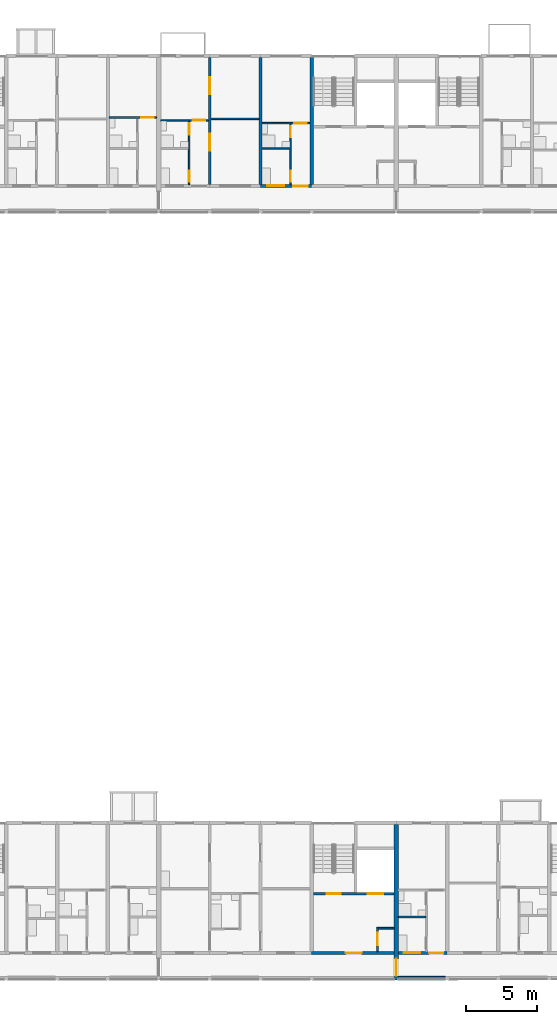
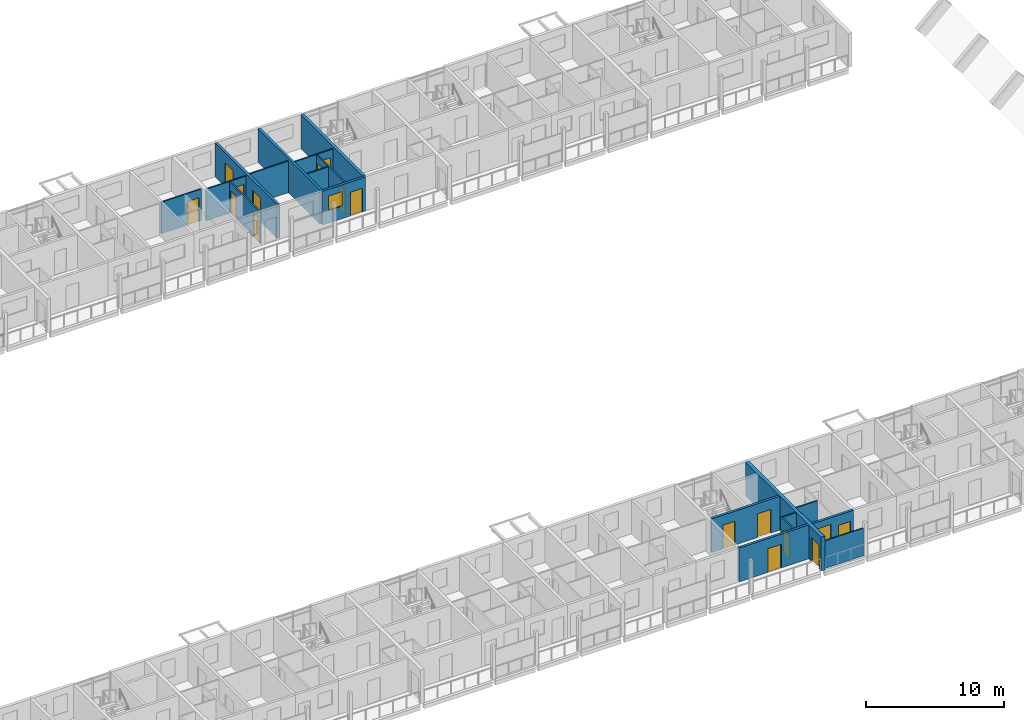
# One storey, part 38 of 98: 19 walls, 16 doors, 2 windows, 18 openings.
"""IFC4 building model written with IfcOpenShell, lengths in metres."""

import ifcopenshell
import ifcopenshell.guid

model = None  # the IFC model being written
_history = None  # IfcOwnerHistory: only IFC2X3 demands one
_inside = {}  # id of a spatial element -> (the spatial element, [elements in it])
_under = {}  # id of a project, library or spatial element -> (it, [spatial elements below it])
_declared = {}  # id of a project -> (the project, [libraries it declares])
_typed = {}  # id of a type object -> (the type object, [elements of that type])
_made_of = {}  # id of a material, layer set ... -> (it, [elements and type objects made of it])


def new_model(schema):
    """Start an empty IFC model of exactly this schema.

    Asked for "IFC4X3", IfcOpenShell would pick the latest addendum, in which some entities
    have other attributes; the version numbers below select the first issue.
    IFC2X3 requires an IfcOwnerHistory on every rooted entity: one is made here for all.
    """
    global model, _history
    if schema == "IFC4X3":
        model = ifcopenshell.file(schema_version=(4, 3, 0, 0))
    else:
        model = ifcopenshell.file(schema=schema)
    _inside.clear()
    _under.clear()
    _declared.clear()
    _typed.clear()
    _made_of.clear()
    _history = None
    if model.schema == "IFC2X3":
        org = make("IfcOrganization", Name="unknown")
        user = make(
            "IfcPersonAndOrganization",
            ThePerson=make("IfcPerson", FamilyName="unknown"),
            TheOrganization=org,
        )
        app = make(
            "IfcApplication",
            ApplicationDeveloper=org,
            Version="unknown",
            ApplicationFullName="unknown",
            ApplicationIdentifier="unknown",
        )
        _history = make(
            "IfcOwnerHistory",
            OwningUser=user,
            OwningApplication=app,
            ChangeAction="ADDED",
            CreationDate=0,
        )
    return model


def make(cls, **values):
    """One entity of the class cls with the attributes given. An attribute that is None is left unset."""
    return model.create_entity(
        cls, **{name: value for name, value in values.items() if value is not None}
    )


def rooted(cls, **values):
    """An entity with a GlobalId (a new one), such as an element, a storey or a relation."""
    return make(cls, GlobalId=ifcopenshell.guid.new(), OwnerHistory=_history, **values)


def si_unit(unit_type, name, prefix=None):
    """IfcSIUnit, for example si_unit("LENGTHUNIT", "METRE", prefix="MILLI")."""
    return make("IfcSIUnit", UnitType=unit_type, Prefix=prefix, Name=name)


def assignment(units):
    """IfcUnitAssignment: the units of a project."""
    return None if units is None else make("IfcUnitAssignment", Units=units)


def point(xyz):
    """IfcCartesianPoint."""
    return None if xyz is None else make("IfcCartesianPoint", Coordinates=xyz)


def direction(xyz):
    """IfcDirection."""
    return None if xyz is None else make("IfcDirection", DirectionRatios=xyz)


def frame(location, z_axis=None, x_axis=None):
    """IfcAxis2Placement3D, a coordinate frame: its origin and axes. An axis left out is left unset."""
    return make(
        "IfcAxis2Placement3D",
        Location=point(location),
        Axis=direction(z_axis),
        RefDirection=direction(x_axis),
    )


def frame_2d(location, x_axis=None):
    """IfcAxis2Placement2D, a coordinate frame in the plane: its origin and x axis."""
    return make(
        "IfcAxis2Placement2D", Location=point(location), RefDirection=direction(x_axis)
    )


def origin():
    """The frame at (0, 0, 0) with its axes left unset."""
    return frame((0.0, 0.0, 0.0))


def place(relative_to, where):
    """IfcLocalPlacement: puts the frame where relative to a parent placement (None: the world)."""
    return make(
        "IfcLocalPlacement", PlacementRelTo=relative_to, RelativePlacement=where
    )


def context(
    kind, dimensions, precision=None, world=None, true_north=None, identifier=None
):
    """IfcGeometricRepresentationContext, for example the 3D "Model" context."""
    return make(
        "IfcGeometricRepresentationContext",
        ContextIdentifier=identifier,
        ContextType=kind,
        CoordinateSpaceDimension=dimensions,
        Precision=precision,
        WorldCoordinateSystem=world,
        TrueNorth=true_north,
    )


def subcontext(parent, identifier, kind, view, scale=None):
    """IfcGeometricRepresentationSubContext, for example "Body" below "Model"."""
    return make(
        "IfcGeometricRepresentationSubContext",
        ContextIdentifier=identifier,
        ContextType=kind,
        ParentContext=parent,
        TargetScale=scale,
        TargetView=view,
    )


def project(units=None, contexts=None):
    """IfcProject with its units and contexts."""
    return rooted(
        "IfcProject",
        Name="project",
        RepresentationContexts=contexts,
        UnitsInContext=assignment(units),
    )


def spatial(cls, under=None, at=None, **own):
    """A site, building, storey or space (cls), placed at a placement, below another one or the project."""
    s = rooted(cls, ObjectPlacement=at, **own)
    if under is not None:
        _under.setdefault(under.id(), (under, []))[1].append(s)
    return s


def profile(cls, at=None, kind="AREA", **sizes):
    """A parametric profile (cls). Its sizes go by their IFC names, for example OverallWidth=200.0."""
    return make(cls, ProfileType=kind, Position=at, **sizes)


def rectangle(**sizes):
    """IfcRectangleProfileDef."""
    return profile("IfcRectangleProfileDef", **sizes)


def extrude(swept, where, along, depth):
    """IfcExtrudedAreaSolid: the profile swept, set in the frame where, extruded along a direction by depth."""
    return make(
        "IfcExtrudedAreaSolid",
        SweptArea=swept,
        Position=where,
        ExtrudedDirection=direction(along),
        Depth=depth,
    )


def shape(context_of_items, identifier, shape_type, items):
    """IfcShapeRepresentation: the items that make up one representation, for example the "Body"."""
    return make(
        "IfcShapeRepresentation",
        ContextOfItems=context_of_items,
        RepresentationIdentifier=identifier,
        RepresentationType=shape_type,
        Items=items,
    )


def material(Name=None, Category=None):
    """IfcMaterial."""
    return make("IfcMaterial", Name=Name, Category=Category)


def layer(
    of_material, thickness, ventilated=None, Name=None, Category=None, Priority=None
):
    """IfcMaterialLayer: one layer of a wall or slab, of a material (None: an air gap)."""
    return make(
        "IfcMaterialLayer",
        Material=of_material,
        LayerThickness=thickness,
        IsVentilated=ventilated,
        Name=Name,
        Category=Category,
        Priority=Priority,
    )


def layer_set(layers, Name=None):
    """IfcMaterialLayerSet."""
    return make("IfcMaterialLayerSet", MaterialLayers=layers, LayerSetName=Name)


def made_of(thing, what):
    """Note that an element or type object is made of a material, layer set ...; save() writes the relation."""
    if what is not None:
        _made_of.setdefault(what.id(), (what, []))[1].append(thing)
    return thing


def type_object(cls, material=None, **own):
    """A type object (cls), such as IfcWallType, which elements share."""
    return made_of(rooted(cls, **own), material)


def element(
    cls,
    number,
    at=None,
    inside=None,
    cuts=None,
    type_object=None,
    material=None,
    context=None,
    identifier="Body",
    shape_type=None,
    held_by="IfcProductDefinitionShape",
    body=None,
    shapes=None,
    **own,
):
    """One element of the class cls, such as IfcWall. Its Tag is "e" and its number.

    at: its placement. inside: the storey or other place that contains it. cuts: it is an
    opening in that element (IfcRelVoidsElement). A single representation is given by context,
    identifier, shape_type and body (its items); several are given by shapes. held_by: the class
    of the entity that holds the representations. save() writes the other relations.
    """
    e = rooted(cls, Tag="e%d" % number, ObjectPlacement=at, **own)
    if body is not None:
        shapes = [shape(context, identifier, shape_type, body)]
    if shapes is not None:
        e.Representation = make(held_by, Representations=shapes)
    if inside is not None:
        _inside.setdefault(inside.id(), (inside, []))[1].append(e)
    if cuts is not None:
        rooted(
            "IfcRelVoidsElement", RelatingBuildingElement=cuts, RelatedOpeningElement=e
        )
    if type_object is not None:
        _typed.setdefault(type_object.id(), (type_object, []))[1].append(e)
    return made_of(e, material)


def fill(opening, filler):
    """IfcRelFillsElement: the door or window that sits in an opening."""
    return rooted(
        "IfcRelFillsElement",
        RelatingOpeningElement=opening,
        RelatedBuildingElement=filler,
    )


def aggregate(whole, parts):
    """IfcRelAggregates: a whole, such as a stair, and the parts it consists of."""
    return rooted("IfcRelAggregates", RelatingObject=whole, RelatedObjects=parts)


def save(model, path):
    """Write the relations noted so far, then the file.

    IfcRelAggregates (storeys below a building ...), IfcRelContainedInSpatialStructure (elements
    in a storey), IfcRelDefinesByType, IfcRelAssociatesMaterial and IfcRelDeclares: one each for
    every whole, place, type object, material and project.
    """
    for whole, parts in _under.values():
        aggregate(whole, parts)
    for where, things in _inside.values():
        rooted(
            "IfcRelContainedInSpatialStructure",
            RelatedElements=things,
            RelatingStructure=where,
        )
    for kind, things in _typed.values():
        rooted("IfcRelDefinesByType", RelatedObjects=things, RelatingType=kind)
    for what, things in _made_of.values():
        rooted("IfcRelAssociatesMaterial", RelatedObjects=things, RelatingMaterial=what)
    for by, libraries in _declared.values():
        rooted("IfcRelDeclares", RelatingContext=by, RelatedDefinitions=libraries)
    model.write(path)


model = new_model("IFC4")

# Units and contexts
model_context = context("Model", 3, precision=1e-05, world=origin(), true_north=direction((0.0, 1.0)))
body_context = subcontext(model_context, "Body", "Model", "MODEL_VIEW")
ifc_project = project(units=[si_unit("LENGTHUNIT", "METRE"), si_unit("AREAUNIT", "SQUARE_METRE"), si_unit("VOLUMEUNIT", "CUBIC_METRE"), si_unit("PLANEANGLEUNIT", "RADIAN"), si_unit("MASSUNIT", "GRAM", prefix="KILO")], contexts=[model_context])

# Site, building, storey
site_placement = place(None, origin())
site = spatial("IfcSite", under=ifc_project, at=site_placement, CompositionType="ELEMENT")
building_placement = place(site_placement, origin())
building = spatial("IfcBuilding", under=site, at=building_placement, Name="Ridgestep Commons", CompositionType="ELEMENT")
storey_placement = place(building_placement, frame((0.0, 0.0, 12.0)))
storey = spatial("IfcBuildingStorey", under=building, at=storey_placement, Name="L04", CompositionType="ELEMENT", Elevation=12.0)

# Wall
ifc_material_1 = material(Name="Concrete C30/37", Category="concrete")
ifc_layer_1 = layer(ifc_material_1, 0.25)
ifc_layer_set_1 = layer_set([ifc_layer_1], Name="Core cross wall 250")
wall_type_1 = type_object("IfcWallType", Name="Core cross wall 250", PredefinedType="SHEAR", material=ifc_layer_set_1)
wall_1_placement = place(storey_placement, frame((73.199951171875, 68.0, 0.0), z_axis=(0.0, 0.0, 1.0), x_axis=(0.0, 1.0, 0.0)))
element("IfcWall", 1, at=wall_1_placement, inside=storey, type_object=wall_type_1, Name="Cross wall B-04-0732", PredefinedType="SHEAR", context=body_context, shape_type="SweptSolid", body=[
    extrude(rectangle(XDim=9.0, YDim=0.25, at=frame_2d((4.5, 0.0))), origin(), (0.0, 0.0, 1.0), 3.0),
])

# Wall, opening, door
ifc_material_2 = material(Name="Concrete C30/37", Category="concrete")
ifc_layer_2 = layer(ifc_material_2, 0.199951171875)
ifc_layer_set_2 = layer_set([ifc_layer_2], Name="Core south wall 200")
wall_type_2 = type_object("IfcWallType", Name="Core south wall 200", PredefinedType="SHEAR", material=ifc_layer_set_2)
wall_2_placement = place(storey_placement, frame((73.199951171875, 13.64990234375, 0.0), z_axis=(0.0, 0.0, 1.0), x_axis=(1.0, 0.0, 0.0)))
wall_2 = element("IfcWall", 2, at=wall_2_placement, inside=storey, type_object=wall_type_2, Name="Core south wall A4C L04", PredefinedType="SHEAR", context=body_context, shape_type="SweptSolid", body=[
    extrude(rectangle(XDim=5.85009765625, YDim=0.199951171875, at=frame_2d((2.925048828125, 0.0))), origin(), (0.0, 0.0, 1.0), 3.0),
])
opening_1_placement = place(wall_2_placement, frame((2.4375, 0.0, 0.0)))
opening_1 = element("IfcOpeningElement", 3, at=opening_1_placement, cuts=wall_2, Name="Opening A4C/04/1", PredefinedType="OPENING", context=body_context, shape_type="SweptSolid", body=[
    extrude(rectangle(XDim=1.10009765625, YDim=2.10009765625, at=frame_2d((0.550048828125, 1.050048828125))), frame((0.0, 0.10986328125, 0.0), z_axis=(0.0, -1.0, 0.0), x_axis=(1.0, 0.0, 0.0)), (0.0, 0.0, 1.0), 0.219970703125),
])
ifc_material_3 = material(Name="Steel fire door", Category="steel")
door_type_1 = type_object("IfcDoorType", Name="Lobby door 1100 x 2100 FD60", OperationType="NOTDEFINED", PredefinedType="DOOR", material=ifc_material_3)
door_1_placement = place(opening_1_placement, origin())
door_1 = element("IfcDoor", 4, at=door_1_placement, inside=storey, type_object=door_type_1, Name="Lobby door A4C/04/1", OperationType="SINGLE_SWING_LEFT", OverallHeight=2.10009765625, OverallWidth=1.10009765625, PredefinedType="DOOR", context=body_context, shape_type="SweptSolid", body=[
    extrude(rectangle(XDim=1.10009765625, YDim=2.10009765625, at=frame_2d((0.550048828125, 1.050048828125))), frame((0.0, 0.02490234375, 0.0), z_axis=(0.0, -1.0, 0.0), x_axis=(1.0, 0.0, 0.0)), (0.0, 0.0, 1.0), 0.050048828125),
])
fill(opening_1, door_1)

ifc_material_4 = material(Name="Concrete C30/37", Category="concrete")
ifc_layer_3 = layer(ifc_material_4, 0.1201171875)
ifc_layer_set_3 = layer_set([ifc_layer_3], Name="Core wall 120")
wall_type_3 = type_object("IfcWallType", Name="Core wall 120", PredefinedType="SHEAR", material=ifc_layer_set_3)
wall_3_placement = place(storey_placement, frame((77.860107421875, 13.75, 0.0), z_axis=(0.0, 0.0, 1.0), x_axis=(0.0, 1.0, 0.0)))
wall_3 = element("IfcWall", 5, at=wall_3_placement, inside=storey, type_object=wall_type_3, Name="Core riser w wall A4C L04", PredefinedType="SHEAR", context=body_context, shape_type="SweptSolid", body=[
    extrude(rectangle(XDim=1.719970703125, YDim=0.1201171875, at=frame_2d((0.85986328125, 0.0))), origin(), (0.0, 0.0, 1.0), 3.0),
])
opening_2_placement = place(wall_3_placement, frame((0.449951171875, 0.0, 0.0)))
opening_2 = element("IfcOpeningElement", 6, at=opening_2_placement, cuts=wall_3, Name="Opening A4C/04/4", PredefinedType="OPENING", context=body_context, shape_type="SweptSolid", body=[
    extrude(rectangle(XDim=0.89990234375, YDim=2.10009765625, at=frame_2d((0.449951171875, 1.050048828125))), frame((0.0, 0.070068359375, 0.0), z_axis=(0.0, -1.0, 0.0), x_axis=(1.0, 0.0, 0.0)), (0.0, 0.0, 1.0), 0.14013671875),
])
ifc_material_5 = material(Name="Steel fire door", Category="steel")
door_type_2 = type_object("IfcDoorType", Name="Riser door 900 x 2100 FD60", OperationType="NOTDEFINED", PredefinedType="DOOR", material=ifc_material_5)
door_2_placement = place(opening_2_placement, origin())
door_2 = element("IfcDoor", 7, at=door_2_placement, inside=storey, type_object=door_type_2, Name="Riser door A4C/04/4", OperationType="SINGLE_SWING_LEFT", OverallHeight=2.10009765625, OverallWidth=0.89990234375, PredefinedType="DOOR", context=body_context, shape_type="SweptSolid", body=[
    extrude(rectangle(XDim=0.89990234375, YDim=2.10009765625, at=frame_2d((0.449951171875, 1.050048828125))), frame((0.0, 0.02490234375, 0.0), z_axis=(0.0, -1.0, 0.0), x_axis=(1.0, 0.0, 0.0)), (0.0, 0.0, 1.0), 0.050048828125),
])
fill(opening_2, door_2)

# Wall
wall_4_placement = place(storey_placement, frame((77.919921875, 15.409912109375, 0.0), z_axis=(0.0, 0.0, 1.0), x_axis=(1.0, 0.0, 0.0)))
element("IfcWall", 8, at=wall_4_placement, inside=storey, type_object=wall_type_3, Name="Core riser n wall A4C L04", PredefinedType="SHEAR", context=body_context, shape_type="SweptSolid", body=[
    extrude(rectangle(XDim=1.130126953125, YDim=0.1201171875, at=frame_2d((0.56494140625, 0.0))), origin(), (0.0, 0.0, 1.0), 3.0),
])

# Wall, openings, doors
ifc_material_6 = material(Name="Concrete C30/37", Category="concrete")
ifc_layer_4 = layer(ifc_material_6, 0.199951171875)
ifc_layer_set_4 = layer_set([ifc_layer_4], Name="Core wall 200")
wall_type_4 = type_object("IfcWallType", Name="Core wall 200", PredefinedType="SHEAR", material=ifc_layer_set_4)
wall_5_placement = place(storey_placement, frame((73.324951171875, 17.85009765625, 0.0), z_axis=(0.0, 0.0, 1.0), x_axis=(1.0, 0.0, 0.0)))
wall_5 = element("IfcWall", 9, at=wall_5_placement, inside=storey, type_object=wall_type_4, Name="Core lobby wall A4C L04", PredefinedType="SHEAR", context=body_context, shape_type="SweptSolid", body=[
    extrude(rectangle(XDim=5.72509765625, YDim=0.199951171875, at=frame_2d((2.862548828125, 0.0))), origin(), (0.0, 0.0, 1.0), 3.0),
])
opening_3_placement = place(wall_5_placement, frame((0.949951171875, 0.0, 0.0)))
opening_3 = element("IfcOpeningElement", 10, at=opening_3_placement, cuts=wall_5, Name="Opening A4C/04/2", PredefinedType="OPENING", context=body_context, shape_type="SweptSolid", body=[
    extrude(rectangle(XDim=1.0, YDim=2.10009765625, at=frame_2d((0.5, 1.050048828125))), frame((0.0, 0.10986328125, 0.0), z_axis=(0.0, -1.0, 0.0), x_axis=(1.0, 0.0, 0.0)), (0.0, 0.0, 1.0), 0.219970703125),
])
opening_4_placement = place(wall_5_placement, frame((3.862548828125, 0.0, 0.0)))
opening_4 = element("IfcOpeningElement", 11, at=opening_4_placement, cuts=wall_5, Name="Opening A4C/04/3", PredefinedType="OPENING", context=body_context, shape_type="SweptSolid", body=[
    extrude(rectangle(XDim=1.10009765625, YDim=2.10009765625, at=frame_2d((0.550048828125, 1.050048828125))), frame((0.0, 0.10986328125, 0.0), z_axis=(0.0, -1.0, 0.0), x_axis=(1.0, 0.0, 0.0)), (0.0, 0.0, 1.0), 0.219970703125),
])
ifc_material_7 = material(Name="Stainless steel", Category="steel")
door_type_3 = type_object("IfcDoorType", Name="Lift landing door 1100 x 2100 FD60", OperationType="DOUBLE_DOOR_SLIDING", PredefinedType="DOOR", material=ifc_material_7)
door_3_placement = place(opening_4_placement, origin())
door_3 = element("IfcDoor", 12, at=door_3_placement, inside=storey, type_object=door_type_3, Name="Landing door LD A4C L04", OperationType="DOUBLE_DOOR_SLIDING", OverallHeight=2.10009765625, OverallWidth=1.10009765625, PredefinedType="DOOR", context=body_context, shape_type="SweptSolid", body=[
    extrude(rectangle(XDim=1.10009765625, YDim=2.10009765625, at=frame_2d((0.550048828125, 1.050048828125))), frame((0.0, 0.02490234375, 0.0), z_axis=(0.0, -1.0, 0.0), x_axis=(1.0, 0.0, 0.0)), (0.0, 0.0, 1.0), 0.050048828125),
])
fill(opening_4, door_3)
ifc_material_8 = material(Name="Steel fire door", Category="steel")
door_type_4 = type_object("IfcDoorType", Name="Stair door 1000 x 2100 FD60", OperationType="NOTDEFINED", PredefinedType="DOOR", material=ifc_material_8)
door_4_placement = place(opening_3_placement, origin())
door_4 = element("IfcDoor", 13, at=door_4_placement, inside=storey, type_object=door_type_4, Name="Stair door A4C/04/2", OperationType="SINGLE_SWING_RIGHT", OverallHeight=2.10009765625, OverallWidth=1.0, PredefinedType="DOOR", context=body_context, shape_type="SweptSolid", body=[
    extrude(rectangle(XDim=1.0, YDim=2.10009765625, at=frame_2d((0.5, 1.050048828125))), frame((0.0, 0.02490234375, 0.0), z_axis=(0.0, -1.0, 0.0), x_axis=(1.0, 0.0, 0.0)), (0.0, 0.0, 1.0), 0.050048828125),
])
fill(opening_3, door_4)

ifc_material_9 = material(Name="Precast concrete C40/50", Category="concrete")
ifc_layer_5 = layer(ifc_material_9, 0.199951171875)
ifc_layer_set_5 = layer_set([ifc_layer_5], Name="Cross wall 200")
wall_type_5 = type_object("IfcWallType", Name="Cross wall 200", PredefinedType="SHEAR", material=ifc_layer_set_5)
wall_6_placement = place(storey_placement, frame((66.0, 68.0, 0.0), z_axis=(0.0, 0.0, 1.0), x_axis=(0.0, 1.0, 0.0)))
wall_6 = element("IfcWall", 14, at=wall_6_placement, inside=storey, type_object=wall_type_5, Name="Cross wall B-04-0660", PredefinedType="SHEAR", context=body_context, shape_type="SweptSolid", body=[
    extrude(rectangle(XDim=9.0, YDim=0.199951171875, at=frame_2d((4.5, 0.0))), origin(), (0.0, 0.0, 1.0), 3.0),
])
opening_5_placement = place(wall_6_placement, frame((2.39990234375, 0.0, 0.0)))
opening_5 = element("IfcOpeningElement", 15, at=opening_5_placement, cuts=wall_6, Name="Opening B4-04a/5", PredefinedType="OPENING", context=body_context, shape_type="SweptSolid", body=[
    extrude(rectangle(XDim=1.199951171875, YDim=2.10009765625, at=frame_2d((0.60009765625, 1.050048828125))), frame((0.0, 0.10986328125, 0.0), z_axis=(0.0, -1.0, 0.0), x_axis=(1.0, 0.0, 0.0)), (0.0, 0.0, 1.0), 0.219970703125),
])
opening_6_placement = place(wall_6_placement, frame((6.39990234375, 0.0, 0.0)))
opening_6 = element("IfcOpeningElement", 16, at=opening_6_placement, cuts=wall_6, Name="Opening B4-04a/6", PredefinedType="OPENING", context=body_context, shape_type="SweptSolid", body=[
    extrude(rectangle(XDim=1.199951171875, YDim=2.10009765625, at=frame_2d((0.60009765625, 1.050048828125))), frame((0.0, 0.10986328125, 0.0), z_axis=(0.0, -1.0, 0.0), x_axis=(1.0, 0.0, 0.0)), (0.0, 0.0, 1.0), 0.219970703125),
])
ifc_material_10 = material(Name="Timber door leaf", Category="wood")
door_type_5 = type_object("IfcDoorType", Name="Double door 1200 x 2100", OperationType="DOUBLE_DOOR_SINGLE_SWING", PredefinedType="DOOR", material=ifc_material_10)
door_5_placement = place(opening_5_placement, origin())
door_5 = element("IfcDoor", 17, at=door_5_placement, inside=storey, type_object=door_type_5, Name="Double door B4-04a/5", OperationType="DOUBLE_DOOR_SINGLE_SWING", OverallHeight=2.10009765625, OverallWidth=1.199951171875, PredefinedType="DOOR", context=body_context, shape_type="SweptSolid", body=[
    extrude(rectangle(XDim=1.199951171875, YDim=2.10009765625, at=frame_2d((0.60009765625, 1.050048828125))), frame((0.0, 0.02490234375, 0.0), z_axis=(0.0, -1.0, 0.0), x_axis=(1.0, 0.0, 0.0)), (0.0, 0.0, 1.0), 0.050048828125),
])
fill(opening_5, door_5)
door_6_placement = place(opening_6_placement, origin())
door_6 = element("IfcDoor", 18, at=door_6_placement, inside=storey, type_object=door_type_5, Name="Double door B4-04a/6", OperationType="DOUBLE_DOOR_SINGLE_SWING", OverallHeight=2.10009765625, OverallWidth=1.199951171875, PredefinedType="DOOR", context=body_context, shape_type="SweptSolid", body=[
    extrude(rectangle(XDim=1.199951171875, YDim=2.10009765625, at=frame_2d((0.60009765625, 1.050048828125))), frame((0.0, 0.02490234375, 0.0), z_axis=(0.0, -1.0, 0.0), x_axis=(1.0, 0.0, 0.0)), (0.0, 0.0, 1.0), 0.050048828125),
])
fill(opening_6, door_6)

# Wall
wall_7_placement = place(storey_placement, frame((69.60009765625, 68.0, 0.0), z_axis=(0.0, 0.0, 1.0), x_axis=(0.0, 1.0, 0.0)))
element("IfcWall", 19, at=wall_7_placement, inside=storey, type_object=wall_type_5, Name="Cross wall B-04-0696", PredefinedType="SHEAR", context=body_context, shape_type="SweptSolid", body=[
    extrude(rectangle(XDim=9.0, YDim=0.199951171875, at=frame_2d((4.5, 0.0))), origin(), (0.0, 0.0, 1.0), 3.0),
])

# Wall, opening, door
ifc_material_11 = material(Name="Precast concrete C40/50", Category="concrete")
ifc_layer_6 = layer(ifc_material_11, 0.300048828125)
ifc_layer_set_6 = layer_set([ifc_layer_6], Name="Division wall 300")
wall_type_6 = type_object("IfcWallType", Name="Division wall 300", PredefinedType="SHEAR", material=ifc_layer_set_6)
wall_8_placement = place(storey_placement, frame((79.199951171875, 11.75, 0.0), z_axis=(0.0, 0.0, 1.0), x_axis=(0.0, 1.0, 0.0)))
wall_8 = element("IfcWall", 20, at=wall_8_placement, inside=storey, type_object=wall_type_6, Name="Cross wall A-04-0792", PredefinedType="SHEAR", context=body_context, shape_type="SweptSolid", body=[
    extrude(rectangle(XDim=11.0, YDim=0.300048828125, at=frame_2d((5.5, 0.0))), origin(), (0.0, 0.0, 1.0), 3.0),
])
opening_7_placement = place(wall_8_placement, frame((0.300048828125, 0.0, 0.0)))
opening_7 = element("IfcOpeningElement", 21, at=opening_7_placement, cuts=wall_8, Name="Opening A/04/G0792", PredefinedType="OPENING", context=body_context, shape_type="SweptSolid", body=[
    extrude(rectangle(XDim=1.199951171875, YDim=2.10009765625, at=frame_2d((0.60009765625, 1.050048828125))), frame((0.0, 0.159912109375, 0.0), z_axis=(0.0, -1.0, 0.0), x_axis=(1.0, 0.0, 0.0)), (0.0, 0.0, 1.0), 0.320068359375),
])
ifc_material_12 = material(Name="Steel fire door", Category="steel")
door_type_6 = type_object("IfcDoorType", Name="Division fire door 1200 x 2100 EI 240", OperationType="DOUBLE_DOOR_SINGLE_SWING", PredefinedType="DOOR", material=ifc_material_12)
door_7_placement = place(opening_7_placement, origin())
door_7 = element("IfcDoor", 22, at=door_7_placement, inside=storey, type_object=door_type_6, Name="Division fire door A/04/G0792", OperationType="DOUBLE_DOOR_SINGLE_SWING", OverallHeight=2.10009765625, OverallWidth=1.199951171875, PredefinedType="DOOR", context=body_context, shape_type="SweptSolid", body=[
    extrude(rectangle(XDim=1.199951171875, YDim=2.10009765625, at=frame_2d((0.60009765625, 1.050048828125))), frame((0.0, 0.02490234375, 0.0), z_axis=(0.0, -1.0, 0.0), x_axis=(1.0, 0.0, 0.0)), (0.0, 0.0, 1.0), 0.050048828125),
])
fill(opening_7, door_7)

# Wall
ifc_material_13 = material(Name="Common brick 110 mm", Category="masonry")
ifc_layer_7 = layer(ifc_material_13, 0.110107421875)
ifc_layer_set_7 = layer_set([ifc_layer_7], Name="Partition 110")
wall_type_7 = type_object("IfcWallType", Name="Partition 110", PredefinedType="PARTITIONING", material=ifc_layer_set_7)
wall_9_placement = place(storey_placement, frame((79.35009765625, 16.205078125, 0.0), z_axis=(0.0, 0.0, 1.0), x_axis=(1.0, 0.0, 0.0)))
element("IfcWall", 23, at=wall_9_placement, inside=storey, type_object=wall_type_7, Name="Partition A5-04a", PredefinedType="PARTITIONING", context=body_context, shape_type="SweptSolid", body=[
    extrude(rectangle(XDim=1.914794921875, YDim=0.110107421875, at=frame_2d((0.95751953125, 0.0))), origin(), (0.0, 0.0, 1.0), 2.800048828125),
])

# Wall, opening, door
wall_10_placement = place(storey_placement, frame((58.89990234375, 72.7548828125, 0.0), z_axis=(0.0, 0.0, 1.0), x_axis=(1.0, 0.0, 0.0)))
wall_10 = element("IfcWall", 24, at=wall_10_placement, inside=storey, type_object=wall_type_7, Name="Partition B3-04a", PredefinedType="PARTITIONING", context=body_context, shape_type="SweptSolid", body=[
    extrude(rectangle(XDim=3.35009765625, YDim=0.110107421875, at=frame_2d((1.675048828125, 0.0))), origin(), (0.0, 0.0, 1.0), 2.800048828125),
])
opening_8_placement = place(wall_10_placement, frame((2.25, 0.0, 0.0)))
opening_8 = element("IfcOpeningElement", 25, at=opening_8_placement, cuts=wall_10, Name="Opening B3-04a/4", PredefinedType="OPENING", context=body_context, shape_type="SweptSolid", body=[
    extrude(rectangle(XDim=0.89990234375, YDim=2.10009765625, at=frame_2d((0.449951171875, 1.050048828125))), frame((0.0, 0.06494140625, 0.0), z_axis=(0.0, -1.0, 0.0), x_axis=(1.0, 0.0, 0.0)), (0.0, 0.0, 1.0), 0.130126953125),
])
ifc_material_14 = material(Name="Timber door leaf", Category="wood")
door_type_7 = type_object("IfcDoorType", Name="Internal door 900 x 2100", OperationType="NOTDEFINED", PredefinedType="DOOR", material=ifc_material_14)
door_8_placement = place(opening_8_placement, origin())
door_8 = element("IfcDoor", 26, at=door_8_placement, inside=storey, type_object=door_type_7, Name="Internal door B3-04a/4", OperationType="SINGLE_SWING_LEFT", OverallHeight=2.10009765625, OverallWidth=0.89990234375, PredefinedType="DOOR", context=body_context, shape_type="SweptSolid", body=[
    extrude(rectangle(XDim=0.89990234375, YDim=2.10009765625, at=frame_2d((0.449951171875, 1.050048828125))), frame((0.0, 0.02490234375, 0.0), z_axis=(0.0, -1.0, 0.0), x_axis=(1.0, 0.0, 0.0)), (0.0, 0.0, 1.0), 0.050048828125),
])
fill(opening_8, door_8)

# Wall, openings, doors
wall_11_placement = place(storey_placement, frame((64.544921875, 68.0, 0.0), z_axis=(0.0, 0.0, 1.0), x_axis=(0.0, 1.0, 0.0)))
wall_11 = element("IfcWall", 27, at=wall_11_placement, inside=storey, type_object=wall_type_7, Name="Partition B4-04a", PredefinedType="PARTITIONING", context=body_context, shape_type="SweptSolid", body=[
    extrude(rectangle(XDim=4.5, YDim=0.110107421875, at=frame_2d((2.25, 0.0))), origin(), (0.0, 0.0, 1.0), 2.800048828125),
])
opening_9_placement = place(wall_11_placement, frame((0.199951171875, 0.0, 0.0)))
opening_9 = element("IfcOpeningElement", 28, at=opening_9_placement, cuts=wall_11, Name="Opening B4-04a/2", PredefinedType="OPENING", context=body_context, shape_type="SweptSolid", body=[
    extrude(rectangle(XDim=0.800048828125, YDim=2.10009765625, at=frame_2d((0.39990234375, 1.050048828125))), frame((0.0, 0.06494140625, 0.0), z_axis=(0.0, -1.0, 0.0), x_axis=(1.0, 0.0, 0.0)), (0.0, 0.0, 1.0), 0.130126953125),
])
opening_10_placement = place(wall_11_placement, frame((3.550048828125, 0.0, 0.0)))
opening_10 = element("IfcOpeningElement", 29, at=opening_10_placement, cuts=wall_11, Name="Opening B4-04a/3", PredefinedType="OPENING", context=body_context, shape_type="SweptSolid", body=[
    extrude(rectangle(XDim=0.800048828125, YDim=2.10009765625, at=frame_2d((0.39990234375, 1.050048828125))), frame((0.0, 0.06494140625, 0.0), z_axis=(0.0, -1.0, 0.0), x_axis=(1.0, 0.0, 0.0)), (0.0, 0.0, 1.0), 0.130126953125),
])
ifc_material_15 = material(Name="Timber door leaf", Category="wood")
door_type_8 = type_object("IfcDoorType", Name="Internal door 800 x 2100", OperationType="NOTDEFINED", PredefinedType="DOOR", material=ifc_material_15)
door_9_placement = place(opening_9_placement, origin())
door_9 = element("IfcDoor", 30, at=door_9_placement, inside=storey, type_object=door_type_8, Name="Internal door B4-04a/2", OperationType="SINGLE_SWING_LEFT", OverallHeight=2.10009765625, OverallWidth=0.800048828125, PredefinedType="DOOR", context=body_context, shape_type="SweptSolid", body=[
    extrude(rectangle(XDim=0.800048828125, YDim=2.10009765625, at=frame_2d((0.39990234375, 1.050048828125))), frame((0.0, 0.02490234375, 0.0), z_axis=(0.0, -1.0, 0.0), x_axis=(1.0, 0.0, 0.0)), (0.0, 0.0, 1.0), 0.050048828125),
])
fill(opening_9, door_9)
door_10_placement = place(opening_10_placement, origin())
door_10 = element("IfcDoor", 31, at=door_10_placement, inside=storey, type_object=door_type_8, Name="Internal door B4-04a/3", OperationType="SINGLE_SWING_RIGHT", OverallHeight=2.10009765625, OverallWidth=0.800048828125, PredefinedType="DOOR", context=body_context, shape_type="SweptSolid", body=[
    extrude(rectangle(XDim=0.800048828125, YDim=2.10009765625, at=frame_2d((0.39990234375, 1.050048828125))), frame((0.0, 0.02490234375, 0.0), z_axis=(0.0, -1.0, 0.0), x_axis=(1.0, 0.0, 0.0)), (0.0, 0.0, 1.0), 0.050048828125),
])
fill(opening_10, door_10)

# Wall, opening, door
wall_12_placement = place(storey_placement, frame((62.550048828125, 72.554931640625, 0.0), z_axis=(0.0, 0.0, 1.0), x_axis=(1.0, 0.0, 0.0)))
wall_12 = element("IfcWall", 32, at=wall_12_placement, inside=storey, type_object=wall_type_7, Name="Partition B4-04a", PredefinedType="PARTITIONING", context=body_context, shape_type="SweptSolid", body=[
    extrude(rectangle(XDim=3.349853515625, YDim=0.110107421875, at=frame_2d((1.6748046875, 0.0))), origin(), (0.0, 0.0, 1.0), 2.800048828125),
])
opening_11_placement = place(wall_12_placement, frame((2.25, 0.0, 0.0)))
opening_11 = element("IfcOpeningElement", 33, at=opening_11_placement, cuts=wall_12, Name="Opening B4-04a/4", PredefinedType="OPENING", context=body_context, shape_type="SweptSolid", body=[
    extrude(rectangle(XDim=0.89990234375, YDim=2.10009765625, at=frame_2d((0.449951171875, 1.050048828125))), frame((0.0, 0.06494140625, 0.0), z_axis=(0.0, -1.0, 0.0), x_axis=(1.0, 0.0, 0.0)), (0.0, 0.0, 1.0), 0.130126953125),
])
door_11_placement = place(opening_11_placement, origin())
door_11 = element("IfcDoor", 34, at=door_11_placement, inside=storey, type_object=door_type_7, Name="Internal door B4-04a/4", OperationType="SINGLE_SWING_LEFT", OverallHeight=2.10009765625, OverallWidth=0.89990234375, PredefinedType="DOOR", context=body_context, shape_type="SweptSolid", body=[
    extrude(rectangle(XDim=0.89990234375, YDim=2.10009765625, at=frame_2d((0.449951171875, 1.050048828125))), frame((0.0, 0.02490234375, 0.0), z_axis=(0.0, -1.0, 0.0), x_axis=(1.0, 0.0, 0.0)), (0.0, 0.0, 1.0), 0.050048828125),
])
fill(opening_11, door_11)

# Walls
wall_13_placement = place(storey_placement, frame((66.10009765625, 72.655029296875, 0.0), z_axis=(0.0, 0.0, 1.0), x_axis=(1.0, 0.0, 0.0)))
element("IfcWall", 35, at=wall_13_placement, inside=storey, type_object=wall_type_7, Name="Partition B4-04a", PredefinedType="PARTITIONING", context=body_context, shape_type="SweptSolid", body=[
    extrude(rectangle(XDim=3.39990234375, YDim=0.110107421875, at=frame_2d((1.699951171875, 0.0))), origin(), (0.0, 0.0, 1.0), 2.800048828125),
])
wall_14_placement = place(storey_placement, frame((69.699951171875, 70.554931640625, 0.0), z_axis=(0.0, 0.0, 1.0), x_axis=(1.0, 0.0, 0.0)))
element("IfcWall", 36, at=wall_14_placement, inside=storey, type_object=wall_type_7, Name="Partition B4-04b", PredefinedType="PARTITIONING", context=body_context, shape_type="SweptSolid", body=[
    extrude(rectangle(XDim=1.965087890625, YDim=0.110107421875, at=frame_2d((0.982421875, 0.0))), origin(), (0.0, 0.0, 1.0), 2.800048828125),
])

# Wall, openings, doors
wall_15_placement = place(storey_placement, frame((71.719970703125, 68.0, 0.0), z_axis=(0.0, 0.0, 1.0), x_axis=(0.0, 1.0, 0.0)))
wall_15 = element("IfcWall", 37, at=wall_15_placement, inside=storey, type_object=wall_type_7, Name="Partition B4-04b", PredefinedType="PARTITIONING", context=body_context, shape_type="SweptSolid", body=[
    extrude(rectangle(XDim=4.300048828125, YDim=0.110107421875, at=frame_2d((2.14990234375, 0.0))), origin(), (0.0, 0.0, 1.0), 2.800048828125),
])
opening_12_placement = place(wall_15_placement, frame((0.199951171875, 0.0, 0.0)))
opening_12 = element("IfcOpeningElement", 38, at=opening_12_placement, cuts=wall_15, Name="Opening B4-04b/2", PredefinedType="OPENING", context=body_context, shape_type="SweptSolid", body=[
    extrude(rectangle(XDim=0.800048828125, YDim=2.10009765625, at=frame_2d((0.39990234375, 1.050048828125))), frame((0.0, 0.06494140625, 0.0), z_axis=(0.0, -1.0, 0.0), x_axis=(1.0, 0.0, 0.0)), (0.0, 0.0, 1.0), 0.130126953125),
])
opening_13_placement = place(wall_15_placement, frame((3.35009765625, 0.0, 0.0)))
opening_13 = element("IfcOpeningElement", 39, at=opening_13_placement, cuts=wall_15, Name="Opening B4-04b/3", PredefinedType="OPENING", context=body_context, shape_type="SweptSolid", body=[
    extrude(rectangle(XDim=0.800048828125, YDim=2.10009765625, at=frame_2d((0.39990234375, 1.050048828125))), frame((0.0, 0.06494140625, 0.0), z_axis=(0.0, -1.0, 0.0), x_axis=(1.0, 0.0, 0.0)), (0.0, 0.0, 1.0), 0.130126953125),
])
door_12_placement = place(opening_12_placement, origin())
door_12 = element("IfcDoor", 40, at=door_12_placement, inside=storey, type_object=door_type_8, Name="Internal door B4-04b/2", OperationType="SINGLE_SWING_LEFT", OverallHeight=2.10009765625, OverallWidth=0.800048828125, PredefinedType="DOOR", context=body_context, shape_type="SweptSolid", body=[
    extrude(rectangle(XDim=0.800048828125, YDim=2.10009765625, at=frame_2d((0.39990234375, 1.050048828125))), frame((0.0, 0.02490234375, 0.0), z_axis=(0.0, -1.0, 0.0), x_axis=(1.0, 0.0, 0.0)), (0.0, 0.0, 1.0), 0.050048828125),
])
fill(opening_12, door_12)
door_13_placement = place(opening_13_placement, origin())
door_13 = element("IfcDoor", 41, at=door_13_placement, inside=storey, type_object=door_type_8, Name="Internal door B4-04b/3", OperationType="SINGLE_SWING_RIGHT", OverallHeight=2.10009765625, OverallWidth=0.800048828125, PredefinedType="DOOR", context=body_context, shape_type="SweptSolid", body=[
    extrude(rectangle(XDim=0.800048828125, YDim=2.10009765625, at=frame_2d((0.39990234375, 1.050048828125))), frame((0.0, 0.02490234375, 0.0), z_axis=(0.0, -1.0, 0.0), x_axis=(1.0, 0.0, 0.0)), (0.0, 0.0, 1.0), 0.050048828125),
])
fill(opening_13, door_13)

# Wall, opening, door
wall_16_placement = place(storey_placement, frame((69.699951171875, 72.35498046875, 0.0), z_axis=(0.0, 0.0, 1.0), x_axis=(1.0, 0.0, 0.0)))
wall_16 = element("IfcWall", 42, at=wall_16_placement, inside=storey, type_object=wall_type_7, Name="Partition B4-04b", PredefinedType="PARTITIONING", context=body_context, shape_type="SweptSolid", body=[
    extrude(rectangle(XDim=3.375, YDim=0.110107421875, at=frame_2d((1.6875, 0.0))), origin(), (0.0, 0.0, 1.0), 2.800048828125),
])
opening_14_placement = place(wall_16_placement, frame((2.27490234375, 0.0, 0.0)))
opening_14 = element("IfcOpeningElement", 43, at=opening_14_placement, cuts=wall_16, Name="Opening B4-04b/4", PredefinedType="OPENING", context=body_context, shape_type="SweptSolid", body=[
    extrude(rectangle(XDim=0.89990234375, YDim=2.10009765625, at=frame_2d((0.449951171875, 1.050048828125))), frame((0.0, 0.06494140625, 0.0), z_axis=(0.0, -1.0, 0.0), x_axis=(1.0, 0.0, 0.0)), (0.0, 0.0, 1.0), 0.130126953125),
])
door_14_placement = place(opening_14_placement, origin())
door_14 = element("IfcDoor", 44, at=door_14_placement, inside=storey, type_object=door_type_7, Name="Internal door B4-04b/4", OperationType="SINGLE_SWING_RIGHT", OverallHeight=2.10009765625, OverallWidth=0.89990234375, PredefinedType="DOOR", context=body_context, shape_type="SweptSolid", body=[
    extrude(rectangle(XDim=0.89990234375, YDim=2.10009765625, at=frame_2d((0.449951171875, 1.050048828125))), frame((0.0, 0.02490234375, 0.0), z_axis=(0.0, -1.0, 0.0), x_axis=(1.0, 0.0, 0.0)), (0.0, 0.0, 1.0), 0.050048828125),
])
fill(opening_14, door_14)

# Wall
ifc_material_16 = material(Name="Precast concrete C30/37", Category="concrete")
ifc_layer_8 = layer(ifc_material_16, 0.10009765625)
ifc_layer_set_8 = layer_set([ifc_layer_8], Name="Perforated gallery screen 3325 x 2450 x 100")
wall_type_8 = type_object("IfcWallType", Name="Perforated gallery screen 3325 x 2450 x 100", PredefinedType="SOLIDWALL", material=ifc_layer_set_8)
wall_17_placement = place(storey_placement, frame((79.35009765625, 11.949951171875, 0.0), z_axis=(0.0, 0.0, 1.0), x_axis=(1.0, 0.0, 0.0)))
element("IfcWall", 45, at=wall_17_placement, inside=storey, type_object=wall_type_8, Name="Gallery screen A5T1 04", PredefinedType="SOLIDWALL", context=body_context, shape_type="SweptSolid", body=[
    extrude(rectangle(XDim=3.324951171875, YDim=0.10009765625, at=frame_2d((1.66259765625, 0.0))), origin(), (0.0, 0.0, 1.0), 2.449951171875),
])

# Wall, openings, door, window
ifc_material_17 = material(Name="Precast concrete C40/50", Category="concrete")
ifc_layer_9 = layer(ifc_material_17, 0.199951171875)
ifc_layer_set_9 = layer_set([ifc_layer_9], Name="South facade panel 200")
wall_type_9 = type_object("IfcWallType", Name="South facade panel 200", PredefinedType="SOLIDWALL", material=ifc_layer_set_9)
wall_18_placement = place(storey_placement, frame((79.35009765625, 13.64990234375, 0.0), z_axis=(0.0, 0.0, 1.0), x_axis=(1.0, 0.0, 0.0)))
wall_18 = element("IfcWall", 46, at=wall_18_placement, inside=storey, type_object=wall_type_9, Name="South panel A5T1 L04", PredefinedType="SOLIDWALL", context=body_context, shape_type="SweptSolid", body=[
    extrude(rectangle(XDim=3.449951171875, YDim=0.199951171875, at=frame_2d((1.72509765625, 0.0))), origin(), (0.0, 0.0, 1.0), 3.0),
])
opening_15_placement = place(wall_18_placement, frame((0.357421875, 0.0, 1.10009765625)))
opening_15 = element("IfcOpeningElement", 47, at=opening_15_placement, cuts=wall_18, Name="Opening W08", PredefinedType="OPENING", context=body_context, shape_type="SweptSolid", body=[
    extrude(rectangle(XDim=1.199951171875, YDim=1.300048828125, at=frame_2d((0.60009765625, 0.64990234375))), frame((0.0, 0.10986328125, 0.0), z_axis=(0.0, -1.0, 0.0), x_axis=(1.0, 0.0, 0.0)), (0.0, 0.0, 1.0), 0.219970703125),
])
opening_16_placement = place(wall_18_placement, frame((2.175048828125, 0.0, 0.0)))
opening_16 = element("IfcOpeningElement", 48, at=opening_16_placement, cuts=wall_18, Name="Opening A5-04a/1", PredefinedType="OPENING", context=body_context, shape_type="SweptSolid", body=[
    extrude(rectangle(XDim=1.0, YDim=2.10009765625, at=frame_2d((0.5, 1.050048828125))), frame((0.0, 0.10986328125, 0.0), z_axis=(0.0, -1.0, 0.0), x_axis=(1.0, 0.0, 0.0)), (0.0, 0.0, 1.0), 0.219970703125),
])
ifc_material_18 = material(Name="Timber door leaf", Category="wood")
door_type_9 = type_object("IfcDoorType", Name="Flat entrance door 1000 x 2100 FD30S", OperationType="NOTDEFINED", PredefinedType="DOOR", material=ifc_material_18)
door_15_placement = place(opening_16_placement, origin())
door_15 = element("IfcDoor", 49, at=door_15_placement, inside=storey, type_object=door_type_9, Name="Flat entrance door A5-04a/1", OperationType="SINGLE_SWING_RIGHT", OverallHeight=2.10009765625, OverallWidth=1.0, PredefinedType="DOOR", context=body_context, shape_type="SweptSolid", body=[
    extrude(rectangle(XDim=1.0, YDim=2.10009765625, at=frame_2d((0.5, 1.050048828125))), frame((0.0, 0.02490234375, 0.0), z_axis=(0.0, -1.0, 0.0), x_axis=(1.0, 0.0, 0.0)), (0.0, 0.0, 1.0), 0.050048828125),
])
fill(opening_16, door_15)
ifc_material_19 = material(Name="Aluminium 6063-T6 and glass", Category="aluminium")
window_type = type_object("IfcWindowType", Name="Flat window 1200 x 1300", PartitioningType="SINGLE_PANEL", PredefinedType="WINDOW", material=ifc_material_19)
window_1_placement = place(opening_15_placement, origin())
window_1 = element("IfcWindow", 50, at=window_1_placement, inside=storey, type_object=window_type, Name="Window A5-04a 1", OverallHeight=1.300048828125, OverallWidth=1.199951171875, PartitioningType="SINGLE_PANEL", PredefinedType="WINDOW", context=body_context, shape_type="SweptSolid", body=[
    extrude(rectangle(XDim=1.199951171875, YDim=1.300048828125, at=frame_2d((0.60009765625, 0.64990234375))), frame((0.0, 0.06005859375, 0.0), z_axis=(0.0, -1.0, 0.0), x_axis=(1.0, 0.0, 0.0)), (0.0, 0.0, 1.0), 0.06005859375),
])
fill(opening_15, window_1)

wall_19_placement = place(storey_placement, frame((69.60009765625, 67.89990234375, 0.0), z_axis=(0.0, 0.0, 1.0), x_axis=(1.0, 0.0, 0.0)))
wall_19 = element("IfcWall", 51, at=wall_19_placement, inside=storey, type_object=wall_type_9, Name="South panel B4T3 L04", PredefinedType="SOLIDWALL", context=body_context, shape_type="SweptSolid", body=[
    extrude(rectangle(XDim=3.599853515625, YDim=0.199951171875, at=frame_2d((1.7998046875, 0.0))), origin(), (0.0, 0.0, 1.0), 3.0),
])
opening_17_placement = place(wall_19_placement, frame((0.482421875, 0.0, 1.10009765625)))
opening_17 = element("IfcOpeningElement", 52, at=opening_17_placement, cuts=wall_19, Name="Opening W08", PredefinedType="OPENING", context=body_context, shape_type="SweptSolid", body=[
    extrude(rectangle(XDim=1.199951171875, YDim=1.300048828125, at=frame_2d((0.60009765625, 0.64990234375))), frame((0.0, 0.10986328125, 0.0), z_axis=(0.0, -1.0, 0.0), x_axis=(1.0, 0.0, 0.0)), (0.0, 0.0, 1.0), 0.219970703125),
])
opening_18_placement = place(wall_19_placement, frame((2.324951171875, 0.0, 0.0)))
opening_18 = element("IfcOpeningElement", 53, at=opening_18_placement, cuts=wall_19, Name="Opening B4-04b/1", PredefinedType="OPENING", context=body_context, shape_type="SweptSolid", body=[
    extrude(rectangle(XDim=1.0, YDim=2.10009765625, at=frame_2d((0.5, 1.050048828125))), frame((0.0, 0.10986328125, 0.0), z_axis=(0.0, -1.0, 0.0), x_axis=(1.0, 0.0, 0.0)), (0.0, 0.0, 1.0), 0.219970703125),
])
door_16_placement = place(opening_18_placement, origin())
door_16 = element("IfcDoor", 54, at=door_16_placement, inside=storey, type_object=door_type_9, Name="Flat entrance door B4-04b/1", OperationType="SINGLE_SWING_RIGHT", OverallHeight=2.10009765625, OverallWidth=1.0, PredefinedType="DOOR", context=body_context, shape_type="SweptSolid", body=[
    extrude(rectangle(XDim=1.0, YDim=2.10009765625, at=frame_2d((0.5, 1.050048828125))), frame((0.0, 0.02490234375, 0.0), z_axis=(0.0, -1.0, 0.0), x_axis=(1.0, 0.0, 0.0)), (0.0, 0.0, 1.0), 0.050048828125),
])
fill(opening_18, door_16)
window_2_placement = place(opening_17_placement, origin())
window_2 = element("IfcWindow", 55, at=window_2_placement, inside=storey, type_object=window_type, Name="Window B4-04b 1", OverallHeight=1.300048828125, OverallWidth=1.199951171875, PartitioningType="SINGLE_PANEL", PredefinedType="WINDOW", context=body_context, shape_type="SweptSolid", body=[
    extrude(rectangle(XDim=1.199951171875, YDim=1.300048828125, at=frame_2d((0.60009765625, 0.64990234375))), frame((0.0, 0.06005859375, 0.0), z_axis=(0.0, -1.0, 0.0), x_axis=(1.0, 0.0, 0.0)), (0.0, 0.0, 1.0), 0.06005859375),
])
fill(opening_17, window_2)

save(model, "model.ifc")
